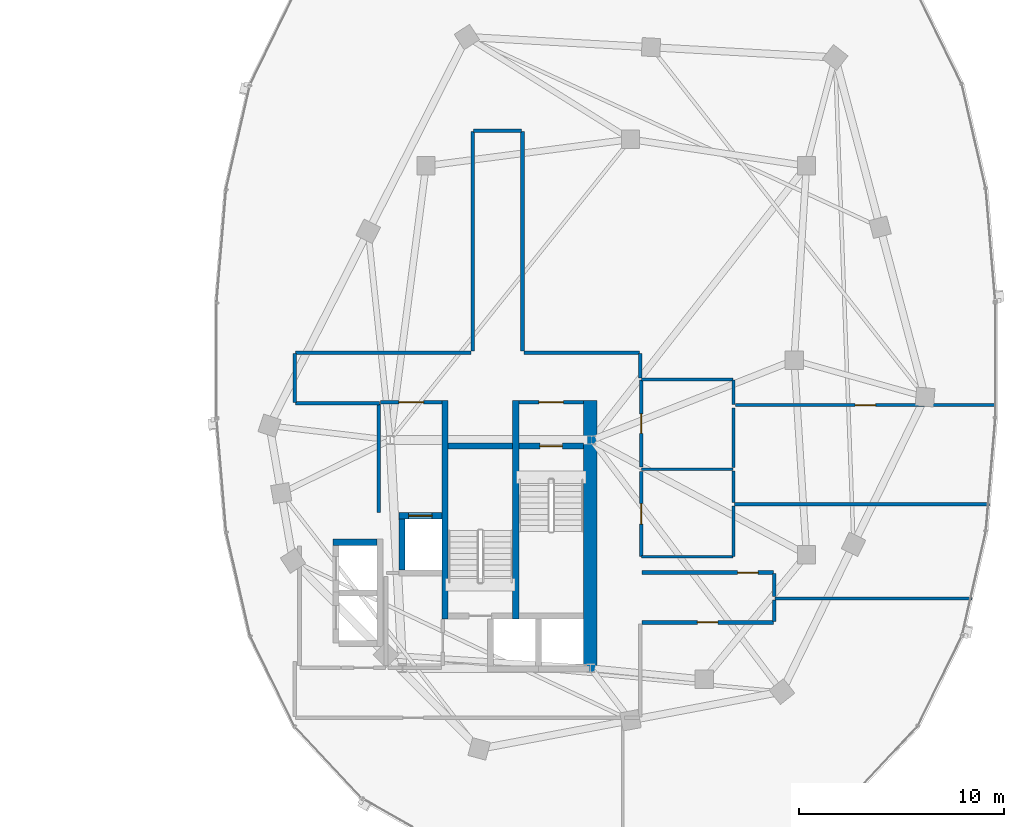
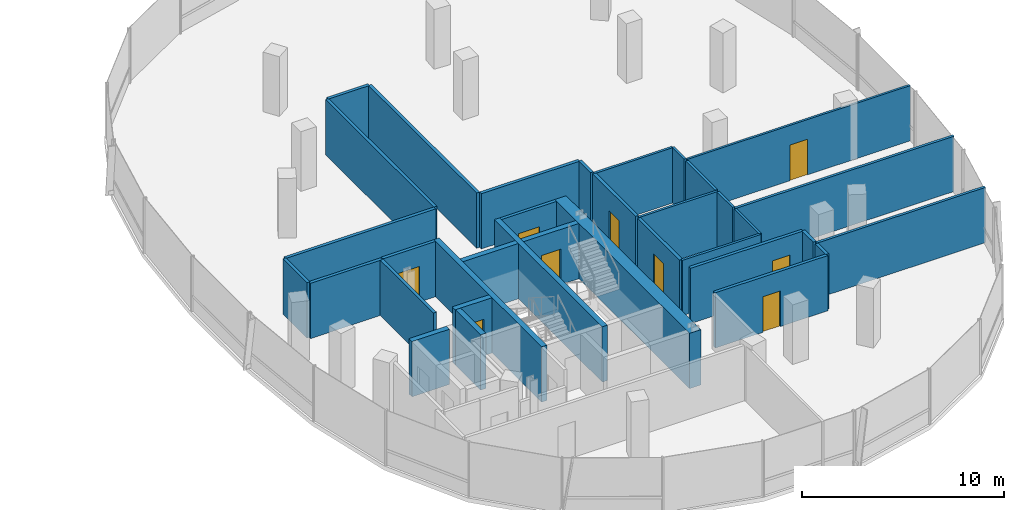
# One storey, part 17 of 25: 35 walls, 9 doors, 9 openings.
"""IFC4 building model written with IfcOpenShell, lengths in metres."""

from ifc_helpers import new_model, si_unit, direction, frame, frame_2d, origin, place, context, subcontext, project, spatial, rectangle, extrude, material, layer, layer_set, type_object, element, fill, save


model = new_model("IFC4")

# Units and contexts
model_context = context("Model", 3, precision=1e-05, world=origin(), true_north=direction((0.0, 1.0)))
body_context = subcontext(model_context, "Body", "Model", "MODEL_VIEW")
ifc_project = project(units=[si_unit("LENGTHUNIT", "METRE"), si_unit("AREAUNIT", "SQUARE_METRE"), si_unit("VOLUMEUNIT", "CUBIC_METRE"), si_unit("PLANEANGLEUNIT", "RADIAN"), si_unit("MASSUNIT", "GRAM", prefix="KILO"), si_unit("THERMODYNAMICTEMPERATUREUNIT", "KELVIN"), si_unit("POWERUNIT", "WATT")], contexts=[model_context])

# Site, building, storey
site_placement = place(None, origin())
site = spatial("IfcSite", under=ifc_project, at=site_placement, CompositionType="ELEMENT")
building_placement = place(site_placement, origin())
building = spatial("IfcBuilding", under=site, at=building_placement, Name="Cundina Bronze Exchange", CompositionType="ELEMENT")
storey_placement = place(building_placement, frame((0.0, 0.0, 195.39990234375)))
storey = spatial("IfcBuildingStorey", under=building, at=storey_placement, Name="L51", CompositionType="ELEMENT", Elevation=195.39990234375)

# Wall
ifc_material_1 = material(Name="Gypsum Fireboard Partition EI120")
ifc_layer_1 = layer(ifc_material_1, 0.179931640625, Name="Gypsum Fireboard Partition EI120")
ifc_layer_set_1 = layer_set([ifc_layer_1], Name="Gypsum Fireboard Partition EI120")
wall_type_1 = type_object("IfcWallType", Name="WL-COR-180", PredefinedType="PARTITIONING", material=ifc_layer_set_1)
wall_1_placement = place(storey_placement, frame((20.889892578125, -7.449951171875, 0.0), z_axis=(0.0, 0.0, 1.0), x_axis=(0.0, 1.0, 0.0)))
element("IfcWall", 1, at=wall_1_placement, inside=storey, type_object=wall_type_1, Name="L51 E Firefighting Lobby Side Wall", PredefinedType="PARTITIONING", context=body_context, shape_type="SweptSolid", body=[
    extrude(rectangle(XDim=5.300048828125, YDim=0.179931640625, at=frame_2d((2.64990234375, 0.0))), origin(), (0.0, 0.0, 1.0), 3.340087890625),
])

# Wall, opening, door
wall_2_placement = place(storey_placement, frame((20.97998046875, -2.06005859375, 0.0), z_axis=(0.0, 0.0, 1.0), x_axis=(1.0, 0.0, 0.0)))
wall_2 = element("IfcWall", 2, at=wall_2_placement, inside=storey, type_object=wall_type_1, Name="L51 E Firefighting Lobby Exit Wall", PredefinedType="PARTITIONING", context=body_context, shape_type="SweptSolid", body=[
    extrude(rectangle(XDim=3.0, YDim=0.179931640625, at=frame_2d((1.5, 0.0))), origin(), (0.0, 0.0, 1.0), 3.340087890625),
])
opening_1_placement = place(wall_2_placement, frame((0.89990234375, 0.0, 0.0)))
opening_1 = element("IfcOpeningElement", 3, at=opening_1_placement, cuts=wall_2, Name="Opening DF-01", PredefinedType="OPENING", context=body_context, shape_type="SweptSolid", body=[
    extrude(rectangle(XDim=1.199951171875, YDim=2.14990234375, at=frame_2d((0.60009765625, 1.074951171875))), frame((0.0, 0.099853515625, 0.0), z_axis=(0.0, -1.0, 0.0), x_axis=(1.0, 0.0, 0.0)), (0.0, 0.0, 1.0), 0.199951171875),
])
ifc_material_2 = material(Name="Steel ASTM A36 Painted", Category="steel")
door_type_1 = type_object("IfcDoorType", Name="DR-FFL-1200", OperationType="NOTDEFINED", PredefinedType="DOOR", material=ifc_material_2)
door_1_placement = place(opening_1_placement, origin())
door_1 = element("IfcDoor", 4, at=door_1_placement, inside=storey, type_object=door_type_1, Name="L51 E Firefighting Lobby Door", OperationType="SINGLE_SWING_LEFT", OverallHeight=2.14990234375, OverallWidth=1.199951171875, PredefinedType="DOOR", context=body_context, shape_type="SweptSolid", body=[
    extrude(rectangle(XDim=1.199951171875, YDim=2.14990234375, at=frame_2d((0.60009765625, 1.074951171875))), frame((0.0, 0.02490234375, 0.0), z_axis=(0.0, -1.0, 0.0), x_axis=(1.0, 0.0, 0.0)), (0.0, 0.0, 1.0), 0.050048828125),
])
fill(opening_1, door_1)

wall_3_placement = place(storey_placement, frame((27.739990234375, -2.06005859375, 0.0), z_axis=(0.0, 0.0, 1.0), x_axis=(1.0, 0.0, 0.0)))
wall_3 = element("IfcWall", 5, at=wall_3_placement, inside=storey, type_object=wall_type_1, Name="L51 E Stair Vestibule Exit Wall", PredefinedType="PARTITIONING", context=body_context, shape_type="SweptSolid", body=[
    extrude(rectangle(XDim=3.159912109375, YDim=0.179931640625, at=frame_2d((1.580078125, 0.0))), origin(), (0.0, 0.0, 1.0), 3.340087890625),
])
opening_2_placement = place(wall_3_placement, frame((0.97998046875, 0.0, 0.0)))
opening_2 = element("IfcOpeningElement", 6, at=opening_2_placement, cuts=wall_3, Name="Opening DF-01", PredefinedType="OPENING", context=body_context, shape_type="SweptSolid", body=[
    extrude(rectangle(XDim=1.199951171875, YDim=2.14990234375, at=frame_2d((0.60009765625, 1.074951171875))), frame((0.0, 0.099853515625, 0.0), z_axis=(0.0, -1.0, 0.0), x_axis=(1.0, 0.0, 0.0)), (0.0, 0.0, 1.0), 0.199951171875),
])
door_2_placement = place(opening_2_placement, origin())
door_2 = element("IfcDoor", 7, at=door_2_placement, inside=storey, type_object=door_type_1, Name="L51 E Stair Vestibule Door", OperationType="SINGLE_SWING_RIGHT", OverallHeight=2.14990234375, OverallWidth=1.199951171875, PredefinedType="DOOR", context=body_context, shape_type="SweptSolid", body=[
    extrude(rectangle(XDim=1.199951171875, YDim=2.14990234375, at=frame_2d((0.60009765625, 1.074951171875))), frame((0.0, 0.02490234375, 0.0), z_axis=(0.0, -1.0, 0.0), x_axis=(1.0, 0.0, 0.0)), (0.0, 0.0, 1.0), 0.050048828125),
])
fill(opening_2, door_2)

wall_4_placement = place(storey_placement, frame((33.719970703125, -5.22998046875, 0.0), z_axis=(0.0, 0.0, 1.0), x_axis=(0.0, 1.0, 0.0)))
wall_4 = element("IfcWall", 8, at=wall_4_placement, inside=storey, type_object=wall_type_1, Name="L51 Interior Partition 054", PredefinedType="PARTITIONING", context=body_context, shape_type="SweptSolid", body=[
    extrude(rectangle(XDim=4.260009765625, YDim=0.179931640625, at=frame_2d((2.1298828125, 0.0))), origin(), (0.0, 0.0, 1.0), 3.340087890625),
])
opening_3_placement = place(wall_4_placement, frame((1.655029296875, 0.0, 0.0)))
opening_3 = element("IfcOpeningElement", 9, at=opening_3_placement, cuts=wall_4, Name="Opening DW-01", PredefinedType="OPENING", context=body_context, shape_type="SweptSolid", body=[
    extrude(rectangle(XDim=0.949951171875, YDim=2.10009765625, at=frame_2d((0.47509765625, 1.050048828125))), frame((0.0, 0.099853515625, 0.0), z_axis=(0.0, -1.0, 0.0), x_axis=(1.0, 0.0, 0.0)), (0.0, 0.0, 1.0), 0.199951171875),
])
ifc_material_3 = material(Name="Solid Andean Oak Timber Grade A", Category="wood")
door_type_2 = type_object("IfcDoorType", Name="DR-WC-950", OperationType="NOTDEFINED", PredefinedType="DOOR", material=ifc_material_3)
door_3_placement = place(opening_3_placement, origin())
door_3 = element("IfcDoor", 10, at=door_3_placement, inside=storey, type_object=door_type_2, Name="L51 Interior Door 054", OperationType="SINGLE_SWING_RIGHT", OverallHeight=2.10009765625, OverallWidth=0.949951171875, PredefinedType="DOOR", context=body_context, shape_type="SweptSolid", body=[
    extrude(rectangle(XDim=0.949951171875, YDim=2.10009765625, at=frame_2d((0.47509765625, 1.050048828125))), frame((0.0, 0.02490234375, 0.0), z_axis=(0.0, -1.0, 0.0), x_axis=(1.0, 0.0, 0.0)), (0.0, 0.0, 1.0), 0.050048828125),
])
fill(opening_3, door_3)

wall_5_placement = place(storey_placement, frame((33.719970703125, -9.590087890625, 0.0), z_axis=(0.0, 0.0, 1.0), x_axis=(0.0, 1.0, 0.0)))
wall_5 = element("IfcWall", 11, at=wall_5_placement, inside=storey, type_object=wall_type_1, Name="L51 Interior Partition 055", PredefinedType="PARTITIONING", context=body_context, shape_type="SweptSolid", body=[
    extrude(rectangle(XDim=4.16015625, YDim=0.179931640625, at=frame_2d((2.080078125, 0.0))), origin(), (0.0, 0.0, 1.0), 3.340087890625),
])
opening_4_placement = place(wall_5_placement, frame((1.580078125, 0.0, 0.0)))
opening_4 = element("IfcOpeningElement", 12, at=opening_4_placement, cuts=wall_5, Name="Opening DO-01", PredefinedType="OPENING", context=body_context, shape_type="SweptSolid", body=[
    extrude(rectangle(XDim=1.0, YDim=2.14990234375, at=frame_2d((0.5, 1.074951171875))), frame((0.0, 0.099853515625, 0.0), z_axis=(0.0, -1.0, 0.0), x_axis=(1.0, 0.0, 0.0)), (0.0, 0.0, 1.0), 0.199951171875),
])
door_type_3 = type_object("IfcDoorType", Name="DR-OFF-1000", OperationType="NOTDEFINED", PredefinedType="DOOR", material=ifc_material_3)
door_4_placement = place(opening_4_placement, origin())
door_4 = element("IfcDoor", 13, at=door_4_placement, inside=storey, type_object=door_type_3, Name="L51 Interior Door 055", OperationType="SINGLE_SWING_RIGHT", OverallHeight=2.14990234375, OverallWidth=1.0, PredefinedType="DOOR", context=body_context, shape_type="SweptSolid", body=[
    extrude(rectangle(XDim=1.0, YDim=2.14990234375, at=frame_2d((0.5, 1.074951171875))), frame((0.0, 0.02490234375, 0.0), z_axis=(0.0, -1.0, 0.0), x_axis=(1.0, 0.0, 0.0)), (0.0, 0.0, 1.0), 0.050048828125),
])
fill(opening_4, door_4)

wall_6_placement = place(storey_placement, frame((33.75, -12.820068359375, 0.0), z_axis=(0.0, 0.0, 1.0), x_axis=(1.0, 0.0, 0.0)))
wall_6 = element("IfcWall", 14, at=wall_6_placement, inside=storey, type_object=wall_type_1, Name="L51 Interior Partition 059", PredefinedType="PARTITIONING", context=body_context, shape_type="SweptSolid", body=[
    extrude(rectangle(XDim=6.428466796875, YDim=0.179931640625, at=frame_2d((3.21435546875, 0.0))), origin(), (0.0, 0.0, 1.0), 3.340087890625),
])
opening_5_placement = place(wall_6_placement, frame((2.714111328125, 0.0, 0.0)))
opening_5 = element("IfcOpeningElement", 15, at=opening_5_placement, cuts=wall_6, Name="Opening DO-01", PredefinedType="OPENING", context=body_context, shape_type="SweptSolid", body=[
    extrude(rectangle(XDim=1.0, YDim=2.14990234375, at=frame_2d((0.5, 1.074951171875))), frame((0.0, 0.099853515625, 0.0), z_axis=(0.0, -1.0, 0.0), x_axis=(1.0, 0.0, 0.0)), (0.0, 0.0, 1.0), 0.199951171875),
])
door_5_placement = place(opening_5_placement, origin())
door_5 = element("IfcDoor", 16, at=door_5_placement, inside=storey, type_object=door_type_3, Name="L51 Interior Door 059", OperationType="SINGLE_SWING_RIGHT", OverallHeight=2.14990234375, OverallWidth=1.0, PredefinedType="DOOR", context=body_context, shape_type="SweptSolid", body=[
    extrude(rectangle(XDim=1.0, YDim=2.14990234375, at=frame_2d((0.5, 1.074951171875))), frame((0.0, 0.02490234375, 0.0), z_axis=(0.0, -1.0, 0.0), x_axis=(1.0, 0.0, 0.0)), (0.0, 0.0, 1.0), 0.050048828125),
])
fill(opening_5, door_5)

# Wall
wall_7_placement = place(storey_placement, frame((40.219970703125, -12.778564453125, 0.0), z_axis=(0.0, 0.0, 1.0), x_axis=(0.0, 1.0, 0.0)))
element("IfcWall", 17, at=wall_7_placement, inside=storey, type_object=wall_type_1, Name="L51 Interior Partition 061", PredefinedType="PARTITIONING", context=body_context, shape_type="SweptSolid", body=[
    extrude(rectangle(XDim=1.048583984375, YDim=0.179931640625, at=frame_2d((0.5244140625, 0.0))), origin(), (0.0, 0.0, 1.0), 3.340087890625),
])

# Wall, opening, door
wall_8_placement = place(storey_placement, frame((40.178466796875, -10.3798828125, 0.0), z_axis=(0.0, 0.0, 1.0), x_axis=(-1.0, 0.0, 0.0)))
wall_8 = element("IfcWall", 18, at=wall_8_placement, inside=storey, type_object=wall_type_1, Name="L51 Interior Partition 063", PredefinedType="PARTITIONING", context=body_context, shape_type="SweptSolid", body=[
    extrude(rectangle(XDim=6.428466796875, YDim=0.179931640625, at=frame_2d((3.21435546875, 0.0))), origin(), (0.0, 0.0, 1.0), 3.340087890625),
])
opening_6_placement = place(wall_8_placement, frame((0.74267578125, 0.0, 0.0)))
opening_6 = element("IfcOpeningElement", 19, at=opening_6_placement, cuts=wall_8, Name="Opening DO-01", PredefinedType="OPENING", context=body_context, shape_type="SweptSolid", body=[
    extrude(rectangle(XDim=1.0, YDim=2.14990234375, at=frame_2d((0.5, 1.074951171875))), frame((0.0, 0.099853515625, 0.0), z_axis=(0.0, -1.0, 0.0), x_axis=(1.0, 0.0, 0.0)), (0.0, 0.0, 1.0), 0.199951171875),
])
door_6_placement = place(opening_6_placement, origin())
door_6 = element("IfcDoor", 20, at=door_6_placement, inside=storey, type_object=door_type_3, Name="L51 Interior Door 063", OperationType="SINGLE_SWING_LEFT", OverallHeight=2.14990234375, OverallWidth=1.0, PredefinedType="DOOR", context=body_context, shape_type="SweptSolid", body=[
    extrude(rectangle(XDim=1.0, YDim=2.14990234375, at=frame_2d((0.5, 1.074951171875))), frame((0.0, 0.02490234375, 0.0), z_axis=(0.0, -1.0, 0.0), x_axis=(1.0, 0.0, 0.0)), (0.0, 0.0, 1.0), 0.050048828125),
])
fill(opening_6, door_6)

# Walls
wall_9_placement = place(storey_placement, frame((40.219970703125, -11.550048828125, 0.0), z_axis=(0.0, 0.0, 1.0), x_axis=(0.0, 1.0, 0.0)))
element("IfcWall", 21, at=wall_9_placement, inside=storey, type_object=wall_type_1, Name="L51 Interior Partition 064", PredefinedType="PARTITIONING", context=body_context, shape_type="SweptSolid", body=[
    extrude(rectangle(XDim=1.128662109375, YDim=0.179931640625, at=frame_2d((0.564453125, 0.0))), origin(), (0.0, 0.0, 1.0), 3.340087890625),
])
for number, where, z_axis, x_axis, name in (
    (22, (27.919921875, 0.449951171875, 0.0), (0.0, 0.0, 1.0), (0.0, 1.0, 0.0), "L51 Interior Partition 066"),
    (23, (25.47998046875, 11.178466796875, 0.0), (0.0, 0.0, 1.0), (0.0, -1.0, 0.0), "L51 Interior Partition 067"),
):
    element("IfcWall", number, at=place(storey_placement, frame(where, z_axis=z_axis, x_axis=x_axis)), inside=storey, type_object=wall_type_1, Name=name, PredefinedType="PARTITIONING", context=body_context, shape_type="SweptSolid", body=[
        extrude(rectangle(XDim=10.728515625, YDim=0.179931640625, at=frame_2d((5.3642578125, 0.0))), origin(), (0.0, 0.0, 1.0), 3.340087890625),
    ])
wall_10_placement = place(storey_placement, frame((25.39990234375, 0.3701171875, 0.0), z_axis=(0.0, 0.0, 1.0), x_axis=(-1.0, 0.0, 0.0)))
element("IfcWall", 24, at=wall_10_placement, inside=storey, type_object=wall_type_1, Name="L51 Interior Partition 068", PredefinedType="PARTITIONING", context=body_context, shape_type="SweptSolid", body=[
    extrude(rectangle(XDim=8.578369140625, YDim=0.179931640625, at=frame_2d((4.2890625, 0.0))), origin(), (0.0, 0.0, 1.0), 3.340087890625),
])
wall_11_placement = place(storey_placement, frame((33.62841796875, 0.3701171875, 0.0), z_axis=(0.0, 0.0, 1.0), x_axis=(-1.0, 0.0, 0.0)))
element("IfcWall", 25, at=wall_11_placement, inside=storey, type_object=wall_type_1, Name="L51 Interior Partition 069", PredefinedType="PARTITIONING", context=body_context, shape_type="SweptSolid", body=[
    extrude(rectangle(XDim=5.62841796875, YDim=0.179931640625, at=frame_2d((2.814208984375, 0.0))), origin(), (0.0, 0.0, 1.0), 3.340087890625),
])
wall_12_placement = place(storey_placement, frame((16.821533203125, -2.10009765625, 0.0), z_axis=(0.0, 0.0, 1.0), x_axis=(1.0, 0.0, 0.0)))
element("IfcWall", 26, at=wall_12_placement, inside=storey, type_object=wall_type_1, Name="L51 Interior Partition 070", PredefinedType="PARTITIONING", context=body_context, shape_type="SweptSolid", body=[
    extrude(rectangle(XDim=4.098388671875, YDim=0.179931640625, at=frame_2d((2.04931640625, 0.0))), origin(), (0.0, 0.0, 1.0), 3.340087890625),
])
wall_13_placement = place(storey_placement, frame((16.780029296875, 0.32861328125, 0.0), z_axis=(0.0, 0.0, 1.0), x_axis=(0.0, -1.0, 0.0)))
element("IfcWall", 27, at=wall_13_placement, inside=storey, type_object=wall_type_1, Name="L51 Interior Partition 072", PredefinedType="PARTITIONING", context=body_context, shape_type="SweptSolid", body=[
    extrude(rectangle(XDim=2.38720703125, YDim=0.179931640625, at=frame_2d((1.193603515625, 0.0))), origin(), (0.0, 0.0, 1.0), 3.340087890625),
])
wall_14_placement = place(storey_placement, frame((27.87841796875, 11.219970703125, 0.0), z_axis=(0.0, 0.0, 1.0), x_axis=(-1.0, 0.0, 0.0)))
element("IfcWall", 28, at=wall_14_placement, inside=storey, type_object=wall_type_1, Name="L51 Interior Partition 073", PredefinedType="PARTITIONING", context=body_context, shape_type="SweptSolid", body=[
    extrude(rectangle(XDim=2.35693359375, YDim=0.179931640625, at=frame_2d((1.178466796875, 0.0))), origin(), (0.0, 0.0, 1.0), 3.340087890625),
])
wall_15_placement = place(storey_placement, frame((33.669921875, -0.858642578125, 0.0), z_axis=(0.0, 0.0, 1.0), x_axis=(0.0, 1.0, 0.0)))
element("IfcWall", 29, at=wall_15_placement, inside=storey, type_object=wall_type_1, Name="L51 Interior Partition 074", PredefinedType="PARTITIONING", context=body_context, shape_type="SweptSolid", body=[
    extrude(rectangle(XDim=1.187255859375, YDim=0.179931640625, at=frame_2d((0.59375, 0.0))), origin(), (0.0, 0.0, 1.0), 3.340087890625),
])
ifc_material_4 = material(Name="Concrete C50/60", Category="concrete")
ifc_layer_2 = layer(ifc_material_4, 0.64990234375, Name="Concrete C50/60", Category="concrete")
ifc_layer_set_2 = layer_set([ifc_layer_2], Name="Concrete C50/60")
wall_type_2 = type_object("IfcWallType", Name="WL-CORE-650", PredefinedType="SHEAR", material=ifc_layer_set_2)
wall_16_placement = place(storey_placement, frame((31.22509765625, -15.300048828125, 0.0), z_axis=(0.0, 0.0, 1.0), x_axis=(0.0, 1.0, 0.0)))
element("IfcWall", 30, at=wall_16_placement, inside=storey, type_object=wall_type_2, Name="L51 E Primary Core Shear Spine Wall", PredefinedType="SHEAR", context=body_context, shape_type="SweptSolid", body=[
    extrude(rectangle(XDim=13.330078125, YDim=0.64990234375, at=frame_2d((6.6650390625, 0.0))), origin(), (0.0, 0.0, 1.0), 3.340087890625),
])

# Wall, opening, door
ifc_material_5 = material(Name="Gypsum Acoustic Partition EI60")
ifc_layer_3 = layer(ifc_material_5, 0.125, Name="Gypsum Acoustic Partition EI60")
ifc_layer_set_3 = layer_set([ifc_layer_3], Name="Gypsum Acoustic Partition EI60")
wall_type_3 = type_object("IfcWallType", Name="WL-OFF-125", PredefinedType="PARTITIONING", material=ifc_layer_set_3)
wall_17_placement = place(storey_placement, frame((38.320068359375, -2.18994140625, 0.0), z_axis=(0.0, 0.0, 1.0), x_axis=(1.0, 0.0, 0.0)))
wall_17 = element("IfcWall", 31, at=wall_17_placement, inside=storey, type_object=wall_type_3, Name="L51 Interior Partition 075", PredefinedType="PARTITIONING", context=body_context, shape_type="SweptSolid", body=[
    extrude(rectangle(XDim=12.72900390625, YDim=0.125, at=frame_2d((6.364501953125, 0.0))), origin(), (0.0, 0.0, 1.0), 3.340087890625),
])
opening_7_placement = place(wall_17_placement, frame((5.864501953125, 0.0, 0.0)))
opening_7 = element("IfcOpeningElement", 32, at=opening_7_placement, cuts=wall_17, Name="Opening DO-01", PredefinedType="OPENING", context=body_context, shape_type="SweptSolid", body=[
    extrude(rectangle(XDim=1.0, YDim=2.14990234375, at=frame_2d((0.5, 1.074951171875))), frame((0.0, 0.072509765625, 0.0), z_axis=(0.0, -1.0, 0.0), x_axis=(1.0, 0.0, 0.0)), (0.0, 0.0, 1.0), 0.14501953125),
])
door_7_placement = place(opening_7_placement, origin())
door_7 = element("IfcDoor", 33, at=door_7_placement, inside=storey, type_object=door_type_3, Name="L51 Interior Door 075", OperationType="SINGLE_SWING_RIGHT", OverallHeight=2.14990234375, OverallWidth=1.0, PredefinedType="DOOR", context=body_context, shape_type="SweptSolid", body=[
    extrude(rectangle(XDim=1.0, YDim=2.14990234375, at=frame_2d((0.5, 1.074951171875))), frame((0.0, 0.02490234375, 0.0), z_axis=(0.0, -1.0, 0.0), x_axis=(1.0, 0.0, 0.0)), (0.0, 0.0, 1.0), 0.050048828125),
])
fill(opening_7, door_7)

# Walls
ifc_layer_4 = layer(ifc_material_4, 0.300048828125, Name="Concrete C50/60", Category="concrete")
ifc_layer_set_4 = layer_set([ifc_layer_4], Name="Concrete C50/60")
wall_type_4 = type_object("IfcWallType", Name="WL-SHFT-300", PredefinedType="SHEAR", material=ifc_layer_set_4)
for number, where, z_axis, x_axis, name in (
    (34, (27.590087890625, -12.64990234375, 0.0), (0.0, 0.0, 1.0), (0.0, 1.0, 0.0), "L51 E Stair Shaft Dividing Shear Wall"),
    (35, (24.1298828125, -12.64990234375, 0.0), (0.0, 0.0, 1.0), (0.0, 1.0, 0.0), "L51 E Stair 2 East Shear Wall"),
):
    element("IfcWall", number, at=place(storey_placement, frame(where, z_axis=z_axis, x_axis=x_axis)), inside=storey, type_object=wall_type_4, Name=name, PredefinedType="SHEAR", context=body_context, shape_type="SweptSolid", body=[
        extrude(rectangle(XDim=10.679931640625, YDim=0.300048828125, at=frame_2d((5.33984375, 0.0))), origin(), (0.0, 0.0, 1.0), 3.340087890625),
    ])

# Wall, opening, door
wall_18_placement = place(storey_placement, frame((27.739990234375, -4.199951171875, 0.0), z_axis=(0.0, 0.0, 1.0), x_axis=(1.0, 0.0, 0.0)))
wall_18 = element("IfcWall", 36, at=wall_18_placement, inside=storey, type_object=wall_type_4, Name="L51 Stair E1 Landing Wall", PredefinedType="SHEAR", context=body_context, shape_type="SweptSolid", body=[
    extrude(rectangle(XDim=3.159912109375, YDim=0.300048828125, at=frame_2d((1.580078125, 0.0))), origin(), (0.0, 0.0, 1.0), 3.340087890625),
])
opening_8_placement = place(wall_18_placement, frame((1.030029296875, 0.0, 0.0)))
opening_8 = element("IfcOpeningElement", 37, at=opening_8_placement, cuts=wall_18, Name="Opening DS-01", PredefinedType="OPENING", context=body_context, shape_type="SweptSolid", body=[
    extrude(rectangle(XDim=1.10009765625, YDim=2.14990234375, at=frame_2d((0.550048828125, 1.074951171875))), frame((0.0, 0.159912109375, 0.0), z_axis=(0.0, -1.0, 0.0), x_axis=(1.0, 0.0, 0.0)), (0.0, 0.0, 1.0), 0.320068359375),
])
door_type_4 = type_object("IfcDoorType", Name="DR-STR-1100", OperationType="NOTDEFINED", PredefinedType="DOOR", material=ifc_material_2)
door_8_placement = place(opening_8_placement, origin())
door_8 = element("IfcDoor", 38, at=door_8_placement, inside=storey, type_object=door_type_4, Name="L51 Smokeproof Stair E1 Door", OperationType="SINGLE_SWING_LEFT", OverallHeight=2.14990234375, OverallWidth=1.10009765625, PredefinedType="DOOR", context=body_context, shape_type="SweptSolid", body=[
    extrude(rectangle(XDim=1.10009765625, YDim=2.14990234375, at=frame_2d((0.550048828125, 1.074951171875))), frame((0.0, 0.02490234375, 0.0), z_axis=(0.0, -1.0, 0.0), x_axis=(1.0, 0.0, 0.0)), (0.0, 0.0, 1.0), 0.050048828125),
])
fill(opening_8, door_8)

# Wall
wall_19_placement = place(storey_placement, frame((24.280029296875, -4.199951171875, 0.0), z_axis=(0.0, 0.0, 1.0), x_axis=(1.0, 0.0, 0.0)))
element("IfcWall", 39, at=wall_19_placement, inside=storey, type_object=wall_type_4, Name="L51 Stair E2 Far Shaft Wall", PredefinedType="SHEAR", context=body_context, shape_type="SweptSolid", body=[
    extrude(rectangle(XDim=3.159912109375, YDim=0.300048828125, at=frame_2d((1.580078125, 0.0))), origin(), (0.0, 0.0, 1.0), 3.340087890625),
])

# Wall, opening, door
wall_20_placement = place(storey_placement, frame((21.8798828125, -7.60009765625, 0.0), z_axis=(0.0, 0.0, 1.0), x_axis=(1.0, 0.0, 0.0)))
wall_20 = element("IfcWall", 40, at=wall_20_placement, inside=storey, type_object=wall_type_4, Name="L51 FFL-E Hoistway Front Wall", PredefinedType="SHEAR", context=body_context, shape_type="SweptSolid", body=[
    extrude(rectangle(XDim=2.10009765625, YDim=0.300048828125, at=frame_2d((1.050048828125, 0.0))), origin(), (0.0, 0.0, 1.0), 3.340087890625),
])
opening_9_placement = place(wall_20_placement, frame((0.47509765625, 0.0, 0.0)))
opening_9 = element("IfcOpeningElement", 41, at=opening_9_placement, cuts=wall_20, Name="Opening LD-01", PredefinedType="OPENING", context=body_context, shape_type="SweptSolid", body=[
    extrude(rectangle(XDim=1.14990234375, YDim=2.199951171875, at=frame_2d((0.574951171875, 1.10009765625))), frame((0.0, 0.159912109375, 0.0), z_axis=(0.0, -1.0, 0.0), x_axis=(1.0, 0.0, 0.0)), (0.0, 0.0, 1.0), 0.320068359375),
])
door_type_5 = type_object("IfcDoorType", Name="DR-LND-1150", OperationType="NOTDEFINED", PredefinedType="TRAPDOOR", material=ifc_material_2)
door_9_placement = place(opening_9_placement, origin())
door_9 = element("IfcDoor", 42, at=door_9_placement, inside=storey, type_object=door_type_5, Name="L51 FFL-E Sliding Landing Door", OperationType="SLIDING_TO_LEFT", OverallHeight=2.199951171875, OverallWidth=1.14990234375, PredefinedType="TRAPDOOR", context=body_context, shape_type="SweptSolid", body=[
    extrude(rectangle(XDim=1.14990234375, YDim=2.199951171875, at=frame_2d((0.574951171875, 1.10009765625))), frame((0.0, 0.02490234375, 0.0), z_axis=(0.0, -1.0, 0.0), x_axis=(1.0, 0.0, 0.0)), (0.0, 0.0, 1.0), 0.050048828125),
])
fill(opening_9, door_9)

# Walls
wall_21_placement = place(storey_placement, frame((22.030029296875, -10.25, 0.0), z_axis=(0.0, 0.0, 1.0), x_axis=(0.0, 1.0, 0.0)))
element("IfcWall", 43, at=wall_21_placement, inside=storey, type_object=wall_type_4, Name="L51 FFL-E Hoistway Side Wall", PredefinedType="SHEAR", context=body_context, shape_type="SweptSolid", body=[
    extrude(rectangle(XDim=2.5, YDim=0.300048828125, at=frame_2d((1.25, 0.0))), origin(), (0.0, 0.0, 1.0), 3.340087890625),
])
wall_22_placement = place(storey_placement, frame((18.64990234375, -8.89990234375, 0.0), z_axis=(0.0, 0.0, 1.0), x_axis=(1.0, 0.0, 0.0)))
element("IfcWall", 44, at=wall_22_placement, inside=storey, type_object=wall_type_4, Name="L51 E Passenger Bank North Cap Wall", PredefinedType="SHEAR", context=body_context, shape_type="SweptSolid", body=[
    extrude(rectangle(XDim=2.150146484375, YDim=0.300048828125, at=frame_2d((1.0751953125, 0.0))), origin(), (0.0, 0.0, 1.0), 3.340087890625),
])
ifc_layer_5 = layer(ifc_material_5, 0.14990234375, Name="Gypsum Acoustic Partition EI60")
ifc_layer_set_5 = layer_set([ifc_layer_5], Name="Gypsum Acoustic Partition EI60")
wall_type_5 = type_object("IfcWallType", Name="WL-TEN-150", PredefinedType="PARTITIONING", material=ifc_layer_set_5)
wall_23_placement = place(storey_placement, frame((38.27001953125, -7.0400390625, 0.0), z_axis=(0.0, 0.0, 1.0), x_axis=(1.0, 0.0, 0.0)))
element("IfcWall", 45, at=wall_23_placement, inside=storey, type_object=wall_type_5, Name="L51 Interior Partition 056", PredefinedType="PARTITIONING", context=body_context, shape_type="SweptSolid", body=[
    extrude(rectangle(XDim=12.476318359375, YDim=0.14990234375, at=frame_2d((6.23828125, 0.0))), origin(), (0.0, 0.0, 1.0), 3.340087890625),
])
wall_24_placement = place(storey_placement, frame((40.25, -11.639892578125, 0.0), z_axis=(0.0, 0.0, 1.0), x_axis=(1.0, 0.0, 0.0)))
element("IfcWall", 46, at=wall_24_placement, inside=storey, type_object=wall_type_5, Name="L51 Interior Partition 057", PredefinedType="PARTITIONING", context=body_context, shape_type="SweptSolid", body=[
    extrude(rectangle(XDim=9.637451171875, YDim=0.14990234375, at=frame_2d((4.81884765625, 0.0))), origin(), (0.0, 0.0, 1.0), 3.340087890625),
])
ifc_material_6 = material(Name="Moisture-Resistant Masonry Block Grade M15", Category="masonry")
ifc_layer_6 = layer(ifc_material_6, 0.139892578125, Name="Moisture-Resistant Masonry Block Grade M15", Category="masonry")
ifc_layer_set_6 = layer_set([ifc_layer_6], Name="Moisture-Resistant Masonry Block Grade M15")
wall_type_6 = type_object("IfcWallType", Name="WL-WET-140", PredefinedType="PARTITIONING", material=ifc_layer_set_6)
wall_25_placement = place(storey_placement, frame((38.239990234375, -9.590087890625, 0.0), z_axis=(0.0, 0.0, 1.0), x_axis=(0.0, 1.0, 0.0)))
element("IfcWall", 47, at=wall_25_placement, inside=storey, type_object=wall_type_6, Name="L51 Interior Partition 047", PredefinedType="PARTITIONING", context=body_context, shape_type="SweptSolid", body=[
    extrude(rectangle(XDim=2.465087890625, YDim=0.139892578125, at=frame_2d((1.232421875, 0.0))), origin(), (0.0, 0.0, 1.0), 3.340087890625),
])
wall_26_placement = place(storey_placement, frame((38.239990234375, -6.955078125, 0.0), z_axis=(0.0, 0.0, 1.0), x_axis=(0.0, 1.0, 0.0)))
element("IfcWall", 48, at=wall_26_placement, inside=storey, type_object=wall_type_6, Name="L51 Interior Partition 048", PredefinedType="PARTITIONING", context=body_context, shape_type="SweptSolid", body=[
    extrude(rectangle(XDim=1.5400390625, YDim=0.139892578125, at=frame_2d((0.77001953125, 0.0))), origin(), (0.0, 0.0, 1.0), 3.340087890625),
])
wall_27_placement = place(storey_placement, frame((38.239990234375, -5.2451171875, 0.0), z_axis=(0.0, 0.0, 1.0), x_axis=(0.0, 1.0, 0.0)))
element("IfcWall", 49, at=wall_27_placement, inside=storey, type_object=wall_type_6, Name="L51 Interior Partition 049", PredefinedType="PARTITIONING", context=body_context, shape_type="SweptSolid", body=[
    extrude(rectangle(XDim=2.920166015625, YDim=0.139892578125, at=frame_2d((1.4599609375, 0.0))), origin(), (0.0, 0.0, 1.0), 3.340087890625),
])
wall_28_placement = place(storey_placement, frame((38.239990234375, -2.155029296875, 0.0), z_axis=(0.0, 0.0, 1.0), x_axis=(0.0, 1.0, 0.0)))
element("IfcWall", 50, at=wall_28_placement, inside=storey, type_object=wall_type_6, Name="L51 Interior Partition 050", PredefinedType="PARTITIONING", context=body_context, shape_type="SweptSolid", body=[
    extrude(rectangle(XDim=1.18505859375, YDim=0.139892578125, at=frame_2d((0.592529296875, 0.0))), origin(), (0.0, 0.0, 1.0), 3.340087890625),
])
for number, where, z_axis, x_axis, name in (
    (51, (33.739990234375, -0.949951171875, 0.0), (0.0, 0.0, 1.0), (1.0, 0.0, 0.0), "L51 Interior Partition 051"),
    (52, (33.739990234375, -5.330078125, 0.0), (0.0, 0.0, 1.0), (1.0, 0.0, 0.0), "L51 Interior Partition 052"),
    (53, (33.739990234375, -9.610107421875, 0.0), (0.0, 0.0, 1.0), (1.0, 0.0, 0.0), "L51 Interior Partition 053"),
):
    element("IfcWall", number, at=place(storey_placement, frame(where, z_axis=z_axis, x_axis=x_axis)), inside=storey, type_object=wall_type_6, Name=name, PredefinedType="PARTITIONING", context=body_context, shape_type="SweptSolid", body=[
        extrude(rectangle(XDim=4.47998046875, YDim=0.139892578125, at=frame_2d((2.239990234375, 0.0))), origin(), (0.0, 0.0, 1.0), 3.340087890625),
    ])

save(model, "model.ifc")
